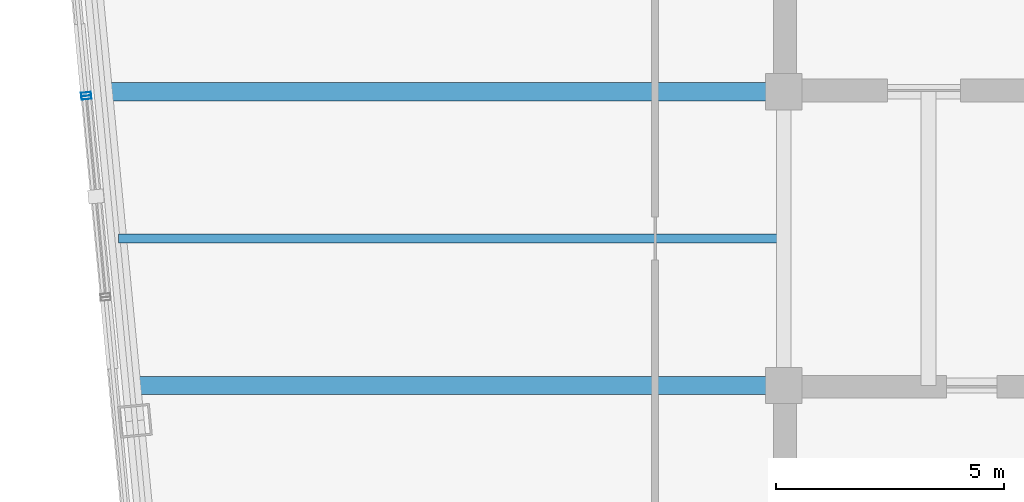
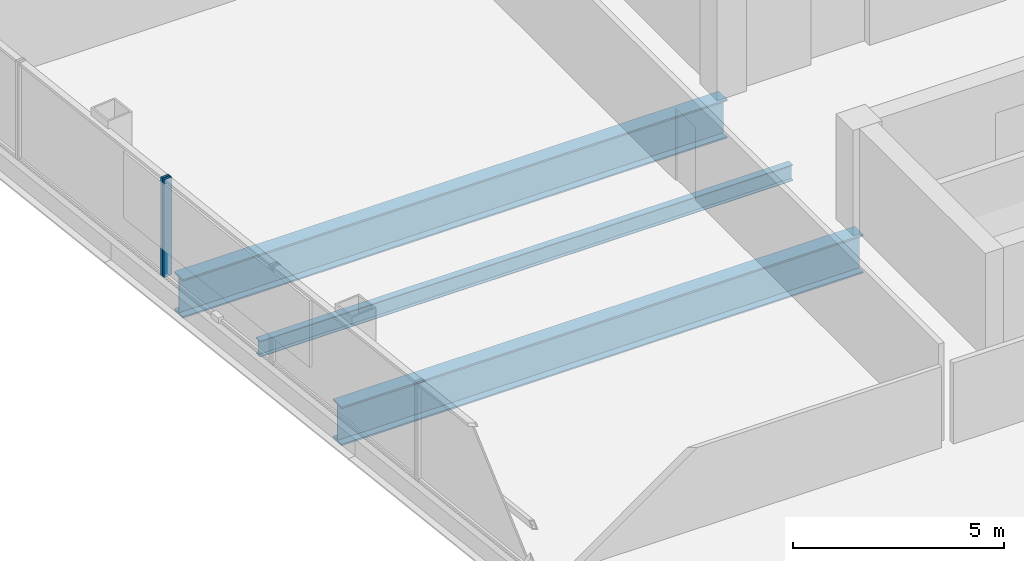
# One storey, part 10 of 28: 3 beams, 2 members, 2 elements without a shape of their own.
"""IFC4 building model written with IfcOpenShell, lengths in metres."""

from ifc_helpers import new_model, si_unit, direction, frame, origin, origin_2d, place, context, subcontext, project, spatial, hollow_rectangle, i_section, extrude, material, layer, layer_set, material_profile, profile_set, type_object, element, aggregate, save


model = new_model("IFC4")

# Units and contexts
model_context = context("Model", 3, precision=1e-05, world=origin(), true_north=direction((0.0, 1.0)))
body_context = subcontext(model_context, "Body", "Model", "MODEL_VIEW")
ifc_project = project(units=[si_unit("LENGTHUNIT", "METRE"), si_unit("AREAUNIT", "SQUARE_METRE"), si_unit("VOLUMEUNIT", "CUBIC_METRE"), si_unit("PLANEANGLEUNIT", "RADIAN"), si_unit("MASSUNIT", "GRAM", prefix="KILO")], contexts=[model_context])

# Site, building, storey
site_placement = place(None, origin())
site = spatial("IfcSite", under=ifc_project, at=site_placement, CompositionType="ELEMENT")
building_placement = place(site_placement, origin())
building = spatial("IfcBuilding", under=site, at=building_placement, Name="Qhalaya Broadcast Tower", CompositionType="ELEMENT")
storey_placement = place(building_placement, frame((0.0, 0.0, 159.199951171875)))
storey = spatial("IfcBuildingStorey", under=building, at=storey_placement, Name="L46", CompositionType="ELEMENT", Elevation=159.199951171875)

# Beams
ifc_material_1 = material(Name="Structural Steel ASTM A992 Grade 50", Category="steel")
ifc_material_profile_1 = material_profile(ifc_material_1, i_section(OverallWidth=0.19189453125, OverallDepth=0.462890625, WebThickness=0.010498046875, FlangeThickness=0.017578125, at=origin_2d()), Name="W18X60")
ifc_profile_set_1 = profile_set([ifc_material_profile_1], Name="Structural Steel ASTM A992 Grade 50")
beam_type_1 = type_object("IfcBeamType", Name="Composite Floor Joist J03", PredefinedType="JOIST", material=ifc_profile_set_1)
beam_1_placement = place(storey_placement, frame((-23.982421875, 0.60009765625, -0.451416015625), z_axis=(1.0, 0.0, 0.0), x_axis=(0.0, 1.0, 0.0)))
element("IfcBeam", 1, at=beam_1_placement, inside=storey, type_object=beam_type_1, Name="L46 J03 L46-JWE4W-1", PredefinedType="JOIST", context=body_context, shape_type="SweptSolid", body=[
    extrude(i_section(OverallWidth=0.19189453125, OverallDepth=0.462890625, WebThickness=0.010498046875, FlangeThickness=0.017578125, at=origin_2d()), origin(), (0.0, 0.0, 1.0), 14.607421875),
])
ifc_material_profile_2 = material_profile(ifc_material_1, i_section(OverallWidth=0.404052734375, OverallDepth=1.117919921875, WebThickness=0.026123046875, FlangeThickness=0.044921875, at=origin_2d()), Name="W44X335")
ifc_profile_set_2 = profile_set([ifc_material_profile_2], Name="Structural Steel ASTM A992 Grade 50")
beam_type_2 = type_object("IfcBeamType", Name="Podium Long-Span Primary Girder PG1", PredefinedType="USERDEFINED", material=ifc_profile_set_2)
beam_2_placement = place(storey_placement, frame((-23.671875, -2.625, -0.779052734375), z_axis=(1.0, 0.0, 0.0), x_axis=(0.0, 1.0, 0.0)))
element("IfcBeam", 2, at=beam_2_placement, inside=storey, type_object=beam_type_2, Name="L46 PG1 L46-PGYW2-1", ObjectType="GIRDER", PredefinedType="USERDEFINED", context=body_context, shape_type="SweptSolid", body=[
    extrude(i_section(OverallWidth=0.404052734375, OverallDepth=1.117919921875, WebThickness=0.026123046875, FlangeThickness=0.044921875, at=origin_2d()), origin(), (0.0, 0.0, 1.0), 14.296875),
])
beam_3_placement = place(storey_placement, frame((-24.29296875, 3.824951171875, -0.779052734375), z_axis=(1.0, 0.0, 0.0), x_axis=(0.0, 1.0, 0.0)))
element("IfcBeam", 3, at=beam_3_placement, inside=storey, type_object=beam_type_2, Name="L46 PG1 L46-PGYW3-1", ObjectType="GIRDER", PredefinedType="USERDEFINED", context=body_context, shape_type="SweptSolid", body=[
    extrude(i_section(OverallWidth=0.404052734375, OverallDepth=1.117919921875, WebThickness=0.026123046875, FlangeThickness=0.044921875, at=origin_2d()), origin(), (0.0, 0.0, 1.0), 14.91796875),
])

# Curtain wall, member
ifc_material_2 = material(Name="Fired Architectural Terracotta", Category="masonry")
ifc_layer_1 = layer(ifc_material_2, 0.219970703125, Name="Fired Architectural Terracotta")
ifc_layer_set_1 = layer_set([ifc_layer_1], Name="Fired Architectural Terracotta")
curtain_wall_type_1 = type_object("IfcCurtainWallType", Name="Block-Cap Unitised Terracotta Spandrel Wall CW-07", PredefinedType="NOTDEFINED", material=ifc_layer_set_1)
curtain_wall_1_placement = place(storey_placement, origin())
curtain_wall_1 = element("IfcCurtainWall", 4, at=curtain_wall_1_placement, inside=storey, type_object=curtain_wall_type_1, Name="L46 Unitised Curtain Wall L46-CW-W3", PredefinedType="NOTDEFINED")
ifc_material_3 = material(Name="Anodised Aluminium 6063-T6", Category="aluminium")
ifc_material_profile_3 = material_profile(ifc_material_3, hollow_rectangle(XDim=0.074951171875, YDim=0.219970703125, WallThickness=0.00390625, at=origin_2d()), Name="ALU-MUL 75x220x4")
ifc_profile_set_3 = profile_set([ifc_material_profile_3], Name="Anodised Aluminium 6063-T6")
member_type = type_object("IfcMemberType", Name="Unitised Curtain-Wall Mullion M01", PredefinedType="MULLION", material=ifc_profile_set_3)
member_1_placement = place(storey_placement, frame((-24.689453125, 3.7705078125, 0.0), z_axis=(0.0, 0.0, 1.0), x_axis=(0.095850920361, -0.995395700747, 0.0)))
member_1 = element("IfcMember", 5, at=member_1_placement, type_object=member_type, Name="CW-07 mullion 2", PredefinedType="MULLION", context=body_context, shape_type="SweptSolid", body=[
    extrude(hollow_rectangle(XDim=0.074951171875, YDim=0.219970703125, WallThickness=0.00390625, at=origin_2d()), origin(), (0.0, 0.0, 1.0), 2.830078125),
])
aggregate(curtain_wall_1, [member_1])

ifc_material_4 = material(Name="Solar-Control Low-E Triple Glazing", Category="glass")
ifc_layer_2 = layer(ifc_material_4, 0.219970703125, Name="Solar-Control Low-E Triple Glazing")
ifc_layer_set_2 = layer_set([ifc_layer_2], Name="Solar-Control Low-E Triple Glazing")
curtain_wall_type_2 = type_object("IfcCurtainWallType", Name="Even-Block 4-Storey Double-Module Curtain Wall CW-03", PredefinedType="NOTDEFINED", material=ifc_layer_set_2)
curtain_wall_2_placement = place(storey_placement, origin())
curtain_wall_2 = element("IfcCurtainWall", 6, at=curtain_wall_2_placement, inside=storey, type_object=curtain_wall_type_2, Name="L46 Unitised Curtain Wall L46-CW-W4", PredefinedType="NOTDEFINED")
member_2_placement = place(storey_placement, frame((-24.682373046875, 3.69580078125, 0.0), z_axis=(0.0, 0.0, 1.0), x_axis=(0.095855381625, -0.995395271143, 0.0)))
member_2 = element("IfcMember", 7, at=member_2_placement, type_object=member_type, Name="CW-03 mullion 1", PredefinedType="MULLION", context=body_context, shape_type="SweptSolid", body=[
    extrude(hollow_rectangle(XDim=0.074951171875, YDim=0.219970703125, WallThickness=0.00390625, at=origin_2d()), origin(), (0.0, 0.0, 1.0), 2.830078125),
])
aggregate(curtain_wall_2, [member_2])

save(model, "model.ifc")
